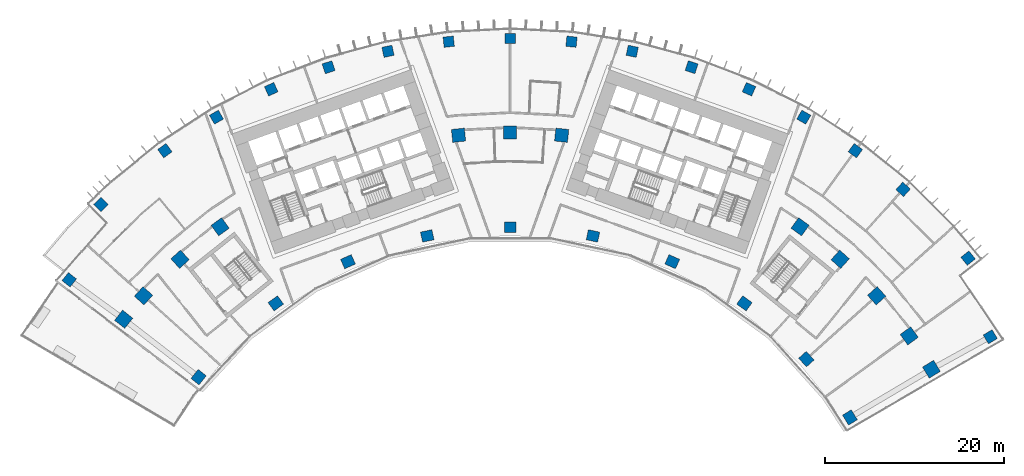
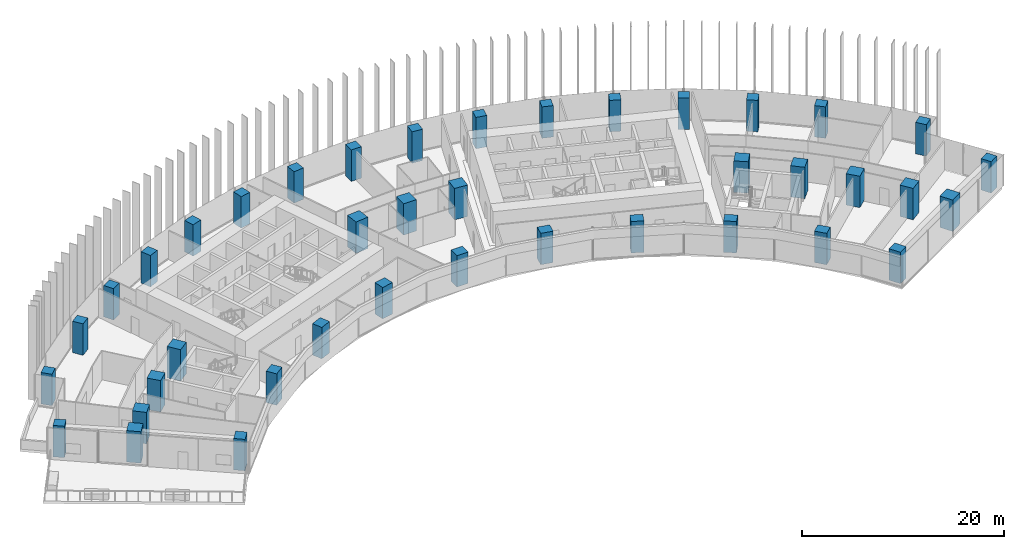
# One storey, part 1 of 21: 40 columns.
"""IFC4 building model written with IfcOpenShell, lengths in metres."""

from ifc_helpers import new_model, si_unit, direction, frame, origin, origin_2d, place, context, subcontext, project, spatial, rectangle, extrude, material, material_profile, profile_set, type_object, element, save


model = new_model("IFC4")

# Units and contexts
model_context = context("Model", 3, precision=1e-05, world=origin(), true_north=direction((0.0, 1.0)))
body_context = subcontext(model_context, "Body", "Model", "MODEL_VIEW")
ifc_project = project(units=[si_unit("LENGTHUNIT", "METRE"), si_unit("AREAUNIT", "SQUARE_METRE"), si_unit("VOLUMEUNIT", "CUBIC_METRE"), si_unit("PLANEANGLEUNIT", "RADIAN"), si_unit("MASSUNIT", "GRAM", prefix="KILO")], contexts=[model_context])

# Site, building, storey
site_placement = place(None, origin())
site = spatial("IfcSite", under=ifc_project, at=site_placement, CompositionType="ELEMENT")
building_placement = place(site_placement, origin())
building = spatial("IfcBuilding", under=site, at=building_placement, Name="Stone Belt Terrace Tower", CompositionType="ELEMENT")
storey_placement = place(building_placement, frame((0.0, 0.0, 87.0)))
storey = spatial("IfcBuildingStorey", under=building, at=storey_placement, Name="L20", CompositionType="ELEMENT", Elevation=87.0)

# Columns
ifc_material = material(Name="Concrete B80", Category="concrete")
ifc_material_profile_1 = material_profile(ifc_material, rectangle(XDim=1.14990234375, YDim=1.14990234375, at=origin_2d()), Name="RC 1150x1150")
ifc_profile_set_1 = profile_set([ifc_material_profile_1], Name="Concrete B80")
column_type_1 = type_object("IfcColumnType", Name="Column RC 1150x1150 B80", PredefinedType="COLUMN", material=ifc_profile_set_1)
for number, where, z_axis, x_axis, name in (
    (1, (-49.153564453125, 38.584716796875, 0.0), (0.0, 0.0, 1.0), (0.617467049123, 0.786596747545, 0.0), "Column L20 RA"),
    (2, (53.53662109375, 32.228515625, 0.0), (0.0, 0.0, 1.0), (0.515750011733, -0.856739123303, 0.0), "Column L20 RB"),
    (3, (-45.617919921875, 46.9873046875, 0.0), (0.0, 0.0, 1.0), (0.717483469981, 0.69657553094, 0.0), "Column L20 RNA"),
    (4, (-38.493408203125, 52.981689453125, 0.0), (0.0, 0.0, 1.0), (0.809016994375, 0.587785252292, 0.0), "Column L20 R16"),
    (5, (-32.744384765625, 56.715087890625, 0.0), (0.0, 0.0, 1.0), (0.866025403784, 0.5, 0.0), "Column L20 R17"),
    (6, (-26.63671875, 59.8271484375, 0.0), (0.0, 0.0, 1.0), (0.913545457643, 0.406736643076, 0.0), "Column L20 R18"),
    (7, (-20.2373046875, 62.28369140625, 0.0), (0.0, 0.0, 1.0), (0.951056516295, 0.309016994375, 0.0), "Column L20 R19"),
    (8, (-13.615966796875, 64.057861328125, 0.0), (0.0, 0.0, 1.0), (0.978147600734, 0.207911690818, 0.0), "Column L20 R20"),
    (9, (-6.845458984375, 65.130126953125, 0.0), (0.0, 0.0, 1.0), (0.994521895368, 0.104528463268, 0.0), "Column L20 R21"),
    (10, (0.0, 65.489013671875, 0.0), (0.0, 0.0, 1.0), (1.0, 0.0, 0.0), "Column L20 R22"),
    (11, (6.845458984375, 65.130126953125, 0.0), (0.0, 0.0, 1.0), (0.994521895368, -0.104528463268, 0.0), "Column L20 R23"),
    (12, (13.615966796875, 64.057861328125, 0.0), (0.0, 0.0, 1.0), (0.978147600734, -0.207911690818, 0.0), "Column L20 R24"),
    (13, (20.2373046875, 62.28369140625, 0.0), (0.0, 0.0, 1.0), (0.951056516295, -0.309016994375, 0.0), "Column L20 R25"),
    (14, (26.63671875, 59.8271484375, 0.0), (0.0, 0.0, 1.0), (0.913545457643, -0.406736643076, 0.0), "Column L20 R26"),
    (15, (32.744384765625, 56.715087890625, 0.0), (0.0, 0.0, 1.0), (0.866025403784, -0.5, 0.0), "Column L20 R27"),
    (16, (38.493408203125, 52.981689453125, 0.0), (0.0, 0.0, 1.0), (0.809016994375, -0.587785252292, 0.0), "Column L20 R28"),
    (17, (43.820556640625, 48.667724609375, 0.0), (0.0, 0.0, 1.0), (0.743144825477, -0.669130606359, 0.0), "Column L20 R29"),
    (18, (51.064208984375, 41.002685546875, 0.0), (0.0, 0.0, 1.0), (0.626104488961, -0.779739167224, 0.0), "Column L20 RNB"),
):
    element("IfcColumn", number, at=place(storey_placement, frame(where, z_axis=z_axis, x_axis=x_axis)), inside=storey, type_object=column_type_1, Name=name, PredefinedType="COLUMN", context=body_context, shape_type="SweptSolid", body=[
        extrude(rectangle(XDim=1.14990234375, YDim=1.14990234375, at=origin_2d()), origin(), (0.0, 0.0, 1.0), 3.800048828125),
    ])
ifc_material_profile_2 = material_profile(ifc_material, rectangle(XDim=1.300048828125, YDim=1.14990234375, at=origin_2d()), Name="RC 1300x1150")
ifc_profile_set_2 = profile_set([ifc_material_profile_2], Name="Concrete B80")
column_type_2 = type_object("IfcColumnType", Name="Column RC 1300x1150 B80", PredefinedType="COLUMN", material=ifc_profile_set_2)
for number, where, z_axis, x_axis, name in (
    (19, (-34.7333984375, 27.72998046875, 0.0), (0.0, 0.0, 1.0), (0.62391778826, 0.781489982977, 0.0), "Column L20 PA"),
    (20, (-26.1240234375, 35.956787109375, 0.0), (0.0, 0.0, 1.0), (0.809016994375, 0.587785252292, 0.0), "Column L20 P16"),
    (21, (-18.077392578125, 40.6025390625, 0.0), (0.0, 0.0, 1.0), (0.913545457643, 0.406736643076, 0.0), "Column L20 P18"),
    (22, (-9.240478515625, 43.473876953125, 0.0), (0.0, 0.0, 1.0), (0.978147600734, 0.207911690818, 0.0), "Column L20 P20"),
    (23, (0.0, 44.445068359375, 0.0), (0.0, 0.0, 1.0), (1.0, 0.0, 0.0), "Column L20 P22"),
    (24, (9.240478515625, 43.473876953125, 0.0), (0.0, 0.0, 1.0), (0.978147600734, -0.207911690818, 0.0), "Column L20 P24"),
    (25, (18.077392578125, 40.6025390625, 0.0), (0.0, 0.0, 1.0), (0.913545457643, -0.406736643076, 0.0), "Column L20 P26"),
    (26, (26.1240234375, 35.956787109375, 0.0), (0.0, 0.0, 1.0), (0.809016994375, -0.587785252292, 0.0), "Column L20 P28"),
    (27, (33.029052734375, 29.739501953125, 0.0), (0.0, 0.0, 1.0), (0.669130606359, -0.743144825477, 0.0), "Column L20 P30"),
    (28, (37.887939453125, 23.235107421875, 0.0), (0.0, 0.0, 1.0), (0.522781282168, -0.852466850391, 0.0), "Column L20 PB"),
):
    element("IfcColumn", number, at=place(storey_placement, frame(where, z_axis=z_axis, x_axis=x_axis)), inside=storey, type_object=column_type_2, Name=name, PredefinedType="COLUMN", context=body_context, shape_type="SweptSolid", body=[
        extrude(rectangle(XDim=1.300048828125, YDim=1.14990234375, at=origin_2d()), origin(), (0.0, 0.0, 1.0), 3.800048828125),
    ])
ifc_material_profile_3 = material_profile(ifc_material, rectangle(XDim=1.449951171875, YDim=1.449951171875, at=origin_2d()), Name="RC 1450x1450")
ifc_profile_set_3 = profile_set([ifc_material_profile_3], Name="Concrete B80")
column_type_3 = type_object("IfcColumnType", Name="Column RC 1450x1450 B80", PredefinedType="COLUMN", material=ifc_profile_set_3)
for number, where, z_axis, x_axis, name in (
    (29, (-43.086181640625, 34.1845703125, 0.0), (0.0, 0.0, 1.0), (0.621538894569, 0.783383304991, 0.0), "Column L20 QA"),
    (30, (-40.873046875, 36.80224609375, 0.0), (0.0, 0.0, 1.0), (0.669130606359, 0.743144825477, 0.0), "Column L20 Q14"),
    (31, (-36.80224609375, 40.873046875, 0.0), (0.0, 0.0, 1.0), (0.743144825477, 0.669130606359, 0.0), "Column L20 Q15"),
    (32, (-32.328125, 44.495849609375, 0.0), (0.0, 0.0, 1.0), (0.809016994375, 0.587785252292, 0.0), "Column L20 Q16"),
    (33, (-5.7490234375, 54.69873046875, 0.0), (0.0, 0.0, 1.0), (0.994521895368, 0.104528463268, 0.0), "Column L20 Q21"),
    (34, (0.0, 55.0, 0.0), (0.0, 0.0, 1.0), (1.0, 0.0, 0.0), "Column L20 Q22"),
    (35, (5.7490234375, 54.69873046875, 0.0), (0.0, 0.0, 1.0), (0.994521895368, -0.104528463268, 0.0), "Column L20 Q23"),
    (36, (32.328125, 44.495849609375, 0.0), (0.0, 0.0, 1.0), (0.809016994375, -0.587785252292, 0.0), "Column L20 Q28"),
    (37, (36.80224609375, 40.873046875, 0.0), (0.0, 0.0, 1.0), (0.743144825477, -0.669130606359, 0.0), "Column L20 Q29"),
    (38, (40.873046875, 36.80224609375, 0.0), (0.0, 0.0, 1.0), (0.669130606359, -0.743144825477, 0.0), "Column L20 Q30"),
    (39, (44.495849609375, 32.328125, 0.0), (0.0, 0.0, 1.0), (0.587785252292, -0.809016994375, 0.0), "Column L20 Q31"),
    (40, (46.972900390625, 28.610107421875, 0.0), (0.0, 0.0, 1.0), (0.520185570168, -0.854053260979, 0.0), "Column L20 QB"),
):
    element("IfcColumn", number, at=place(storey_placement, frame(where, z_axis=z_axis, x_axis=x_axis)), inside=storey, type_object=column_type_3, Name=name, PredefinedType="COLUMN", context=body_context, shape_type="SweptSolid", body=[
        extrude(rectangle(XDim=1.449951171875, YDim=1.449951171875, at=origin_2d()), origin(), (0.0, 0.0, 1.0), 3.800048828125),
    ])

save(model, "model.ifc")
